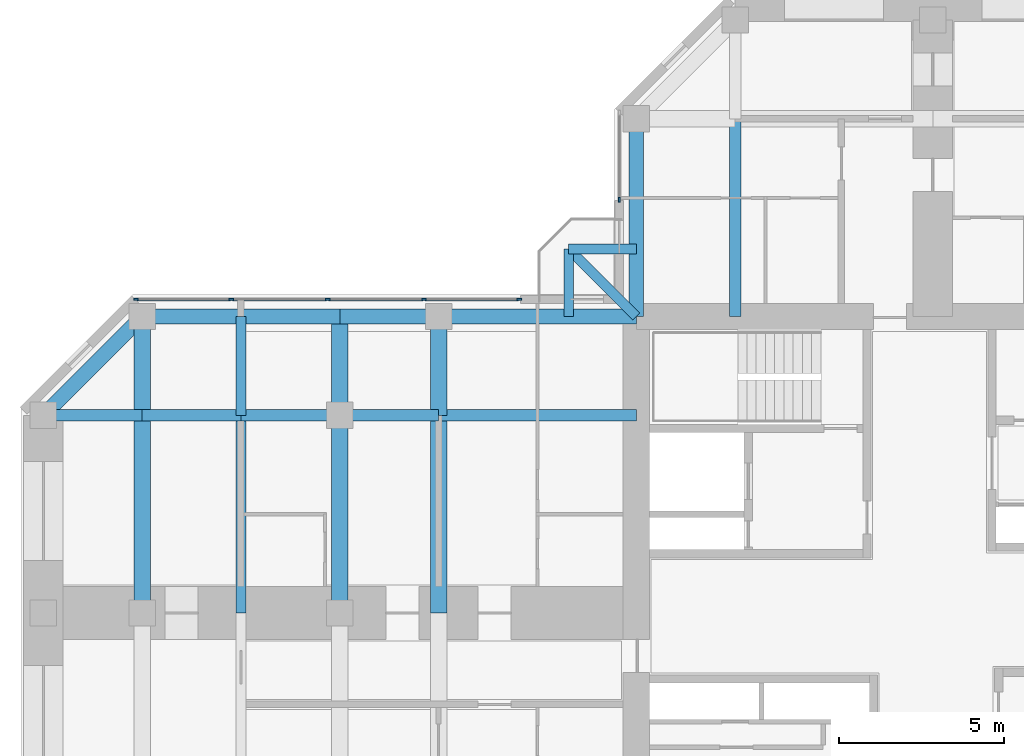
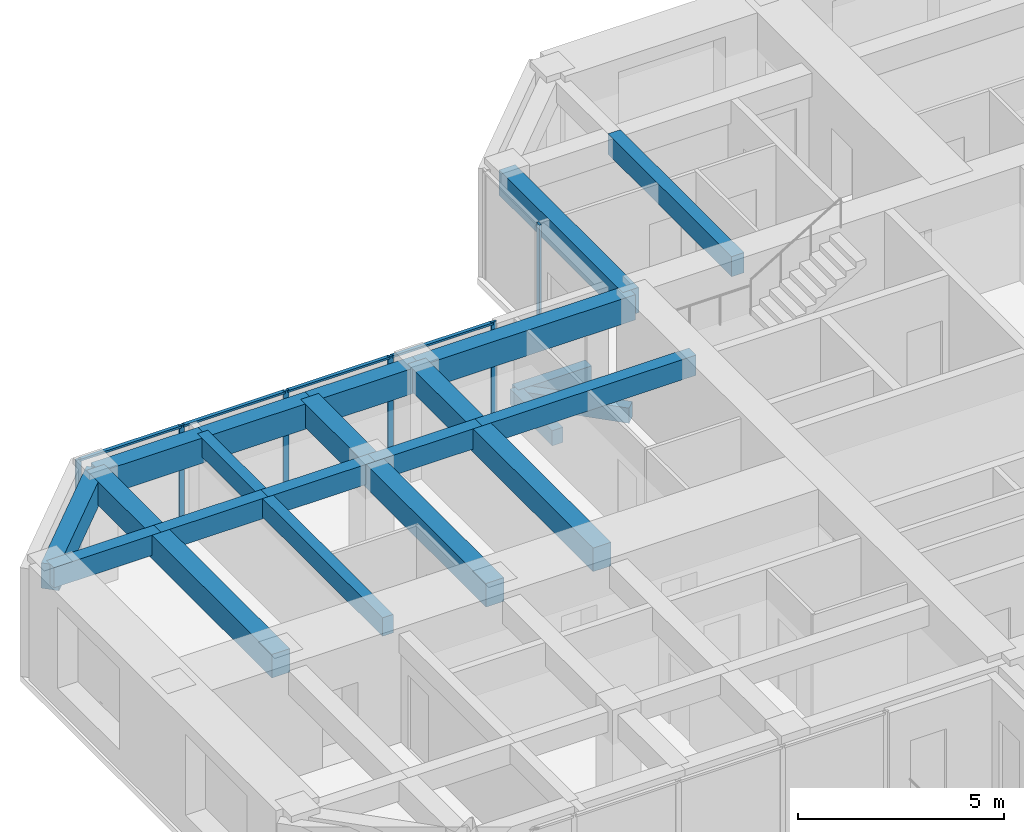
# One storey, part 4 of 13: 23 beams, 10 members, 2 elements without a shape of their own.
"""IFC4 building model written with IfcOpenShell, lengths in metres."""

from ifc_helpers import new_model, si_unit, direction, frame, origin, origin_2d, place, context, subcontext, project, spatial, rectangle, extrude, material, material_profile, profile_set, type_object, element, aggregate, save


model = new_model("IFC4")

# Units and contexts
model_context = context("Model", 3, precision=1e-05, world=origin(), true_north=direction((0.0, 1.0)))
body_context = subcontext(model_context, "Body", "Model", "MODEL_VIEW")
ifc_project = project(units=[si_unit("LENGTHUNIT", "METRE"), si_unit("AREAUNIT", "SQUARE_METRE"), si_unit("VOLUMEUNIT", "CUBIC_METRE"), si_unit("PLANEANGLEUNIT", "RADIAN"), si_unit("MASSUNIT", "GRAM", prefix="KILO")], contexts=[model_context])

# Site, building, storey
site_placement = place(None, origin())
site = spatial("IfcSite", under=ifc_project, at=site_placement, CompositionType="ELEMENT")
building_placement = place(site_placement, origin())
building = spatial("IfcBuilding", under=site, at=building_placement, Name="Torre Cruceta", CompositionType="ELEMENT")
storey_placement = place(building_placement, frame((0.0, 0.0, 235.699951171875)))
storey = spatial("IfcBuildingStorey", under=building, at=storey_placement, Name="L60", CompositionType="ELEMENT", Elevation=235.699951171875)

# Beams
ifc_material_1 = material(Name="Concrete G60 (fck 60 MPa)", Category="concrete")
ifc_material_profile_1 = material_profile(ifc_material_1, rectangle(XDim=0.300048828125, YDim=0.449951171875, at=origin_2d()), Name="RC 300X450")
ifc_profile_set_1 = profile_set([ifc_material_profile_1], Name="Concrete G60 (fck 60 MPa)")
beam_type_1 = type_object("IfcBeamType", Name="BALCONY CANTILEVER BEAM RC 300X450", PredefinedType="BEAM", material=ifc_profile_set_1)
beam_1_placement = place(storey_placement, frame((-9.0, 9.0, -0.405029296875), z_axis=(-0.707106781187, 0.707106781187, 0.0), x_axis=(-0.707106781187, -0.707106781187, 0.0)))
element("IfcBeam", 1, at=beam_1_placement, inside=storey, type_object=beam_type_1, Name="BB1 balcony beam L60 N", PredefinedType="BEAM", context=body_context, shape_type="SweptSolid", body=[
    extrude(rectangle(XDim=0.300048828125, YDim=0.449951171875, at=origin_2d()), origin(), (0.0, 0.0, 1.0), 2.89990234375),
])
for number, where, z_axis, x_axis, name in (
    (2, (-11.050537109375, 9.0, -0.405029296875), (0.0, 1.0, 0.0), (-1.0, 0.0, 0.0), "BB1 balcony edge beam L60 N-X"),
    (3, (-9.0, 11.050537109375, -0.405029296875), (-1.0, 0.0, 0.0), (0.0, -1.0, 0.0), "BB1 balcony edge beam L60 N-Y"),
):
    element("IfcBeam", number, at=place(storey_placement, frame(where, z_axis=z_axis, x_axis=x_axis)), inside=storey, type_object=beam_type_1, Name=name, PredefinedType="BEAM", context=body_context, shape_type="SweptSolid", body=[
        extrude(rectangle(XDim=0.300048828125, YDim=0.449951171875, at=origin_2d()), origin(), (0.0, 0.0, 1.0), 2.050537109375),
    ])
ifc_material_2 = material(Name="Concrete G60 (fck 60 MPa)", Category="concrete")
ifc_material_profile_2 = material_profile(ifc_material_2, rectangle(XDim=0.35009765625, YDim=0.60009765625, at=origin_2d()), Name="RC 350X600")
ifc_profile_set_2 = profile_set([ifc_material_profile_2], Name="Concrete G60 (fck 60 MPa)")
beam_type_2 = type_object("IfcBeamType", Name="COLUMN LINE BEAM RC 350X600", PredefinedType="BEAM", material=ifc_profile_set_2)
for number, where, z_axis, x_axis, name in (
    (4, (-6.0, 9.0, 2.920166015625), (0.0, 1.0, 0.0), (-1.0, 0.0, 0.0), "LB9 L60 N col+ 1"),
    (5, (-9.0, 6.0, 2.920166015625), (-1.0, 0.0, 0.0), (0.0, -1.0, 0.0), "LB9 L60 W col- 1"),
):
    element("IfcBeam", number, at=place(storey_placement, frame(where, z_axis=z_axis, x_axis=x_axis)), inside=storey, type_object=beam_type_2, Name=name, PredefinedType="BEAM", context=body_context, shape_type="SweptSolid", body=[
        extrude(rectangle(XDim=0.35009765625, YDim=0.60009765625, at=origin_2d()), origin(), (0.0, 0.0, 1.0), 6.0),
    ])
for number, where, z_axis, x_axis, name in (
    (6, (-15.0, 6.0, 2.920166015625), (-1.0, 0.0, 0.0), (0.0, -1.0, 0.0), "LB9 L60 W col- 2"),
    (7, (-18.0, 6.0, 2.920166015625), (-1.0, 0.0, 0.0), (0.0, -1.0, 0.0), "LB9 L60 W col- 3"),
    (8, (-21.0, 6.0, 2.920166015625), (-1.0, 0.0, 0.0), (0.0, -1.0, 0.0), "LB9 L60 W col- 4"),
    (9, (-24.0, 6.0, 2.920166015625), (-1.0, 0.0, 0.0), (0.0, -1.0, 0.0), "LB9 L60 W col- 5"),
):
    element("IfcBeam", number, at=place(storey_placement, frame(where, z_axis=z_axis, x_axis=x_axis)), inside=storey, type_object=beam_type_2, Name=name, PredefinedType="BEAM", context=body_context, shape_type="SweptSolid", body=[
        extrude(rectangle(XDim=0.35009765625, YDim=0.60009765625, at=origin_2d()), origin(), (0.0, 0.0, 1.0), 3.0),
    ])
ifc_material_3 = material(Name="Concrete G60 (fck 60 MPa)", Category="concrete")
ifc_material_profile_3 = material_profile(ifc_material_3, rectangle(XDim=0.5, YDim=0.699951171875, at=origin_2d()), Name="RC 500X700")
ifc_profile_set_3 = profile_set([ifc_material_profile_3], Name="Concrete G60 (fck 60 MPa)")
beam_type_3 = type_object("IfcBeamType", Name="CROSS BEAM RC 500X700", PredefinedType="BEAM", material=ifc_profile_set_3)
beam_2_placement = place(storey_placement, frame((-15.0, 9.0, 2.8701171875), z_axis=(0.0, -1.0, 0.0), x_axis=(1.0, 0.0, 0.0)))
element("IfcBeam", 10, at=beam_2_placement, inside=storey, type_object=beam_type_3, Name="GB7 L60 W cross15 1", PredefinedType="BEAM", context=body_context, shape_type="SweptSolid", body=[
    extrude(rectangle(XDim=0.5, YDim=0.699951171875, at=origin_2d()), origin(), (0.0, 0.0, 1.0), 3.0),
])
beam_3_placement = place(storey_placement, frame((-15.0, 6.0, 2.8701171875), z_axis=(0.0, -1.0, 0.0), x_axis=(1.0, 0.0, 0.0)))
element("IfcBeam", 11, at=beam_3_placement, inside=storey, type_object=beam_type_3, Name="GB7 L60 W cross15 2", PredefinedType="BEAM", context=body_context, shape_type="SweptSolid", body=[
    extrude(rectangle(XDim=0.5, YDim=0.699951171875, at=origin_2d()), origin(), (0.0, 0.0, 1.0), 6.0),
])
beam_4_placement = place(storey_placement, frame((-18.0, 9.0, 2.8701171875), z_axis=(0.0, -1.0, 0.0), x_axis=(1.0, 0.0, 0.0)))
element("IfcBeam", 12, at=beam_4_placement, inside=storey, type_object=beam_type_3, Name="GB7 L60 W cross18 1", PredefinedType="BEAM", context=body_context, shape_type="SweptSolid", body=[
    extrude(rectangle(XDim=0.5, YDim=0.699951171875, at=origin_2d()), origin(), (0.0, 0.0, 1.0), 3.0),
])
beam_5_placement = place(storey_placement, frame((-18.0, 6.0, 2.8701171875), z_axis=(0.0, -1.0, 0.0), x_axis=(1.0, 0.0, 0.0)))
element("IfcBeam", 13, at=beam_5_placement, inside=storey, type_object=beam_type_3, Name="GB7 L60 W cross18 2", PredefinedType="BEAM", context=body_context, shape_type="SweptSolid", body=[
    extrude(rectangle(XDim=0.5, YDim=0.699951171875, at=origin_2d()), origin(), (0.0, 0.0, 1.0), 6.0),
])
beam_6_placement = place(storey_placement, frame((-24.0, 9.0, 2.8701171875), z_axis=(0.0, -1.0, 0.0), x_axis=(1.0, 0.0, 0.0)))
element("IfcBeam", 14, at=beam_6_placement, inside=storey, type_object=beam_type_3, Name="GB7 L60 W cross24 1", PredefinedType="BEAM", context=body_context, shape_type="SweptSolid", body=[
    extrude(rectangle(XDim=0.5, YDim=0.699951171875, at=origin_2d()), origin(), (0.0, 0.0, 1.0), 3.0),
])
beam_7_placement = place(storey_placement, frame((-24.0, 6.0, 2.8701171875), z_axis=(0.0, -1.0, 0.0), x_axis=(1.0, 0.0, 0.0)))
element("IfcBeam", 15, at=beam_7_placement, inside=storey, type_object=beam_type_3, Name="GB7 L60 W cross24 2", PredefinedType="BEAM", context=body_context, shape_type="SweptSolid", body=[
    extrude(rectangle(XDim=0.5, YDim=0.699951171875, at=origin_2d()), origin(), (0.0, 0.0, 1.0), 6.0),
])

# Curtain wall, member
ifc_material_4 = material(Name="Aluminium unitised curtain wall", Category="aluminium")
curtain_wall_type = type_object("IfcCurtainWallType", Name="CURTAIN WALL CW-D CO-LIVING UPPER", PredefinedType="USERDEFINED", material=ifc_material_4)
curtain_wall_1_placement = place(storey_placement, origin())
curtain_wall_1 = element("IfcCurtainWall", 16, at=curtain_wall_1_placement, inside=storey, type_object=curtain_wall_type, Name="CW-D L60 N side 09", ObjectType="UNITISED", PredefinedType="USERDEFINED")
ifc_material_5 = material(Name="Aluminium mullion", Category="aluminium")
ifc_material_profile_4 = material_profile(ifc_material_5, rectangle(XDim=0.06005859375, YDim=0.14990234375, at=origin_2d()), Name="AL 60X150")
ifc_profile_set_4 = profile_set([ifc_material_profile_4], Name="Aluminium mullion")
member_type_1 = type_object("IfcMemberType", Name="CW-D MULLION 60X150", PredefinedType="MULLION", material=ifc_profile_set_4)
member_1_placement = place(storey_placement, frame((-9.52001953125, 12.550048828125, 0.0), z_axis=(0.0, 0.0, 1.0), x_axis=(1.0, 0.0, 0.0)))
member_1 = element("IfcMember", 17, at=member_1_placement, type_object=member_type_1, Name="CW-D mullion 2", PredefinedType="MULLION", context=body_context, shape_type="SweptSolid", body=[
    extrude(rectangle(XDim=0.06005859375, YDim=0.14990234375, at=origin_2d()), origin(), (0.0, 0.0, 1.0), 3.219970703125),
])
aggregate(curtain_wall_1, [member_1])

# Curtain wall, members
curtain_wall_2_placement = place(storey_placement, origin())
curtain_wall_2 = element("IfcCurtainWall", 18, at=curtain_wall_2_placement, inside=storey, type_object=curtain_wall_type, Name="CW-D L60 W side 10", ObjectType="UNITISED", PredefinedType="USERDEFINED")
member_2_placement = place(storey_placement, frame((-12.550048828125, 9.52001953125, 0.0), z_axis=(0.0, 0.0, 1.0), x_axis=(0.0, -1.0, 0.0)))
member_2 = element("IfcMember", 19, at=member_2_placement, type_object=member_type_1, Name="CW-D mullion 1", PredefinedType="MULLION", context=body_context, shape_type="SweptSolid", body=[
    extrude(rectangle(XDim=0.06005859375, YDim=0.14990234375, at=origin_2d()), origin(), (0.0, 0.0, 1.0), 3.219970703125),
])
member_3_placement = place(storey_placement, frame((-15.44384765625, 9.52001953125, 0.0), z_axis=(0.0, 0.0, 1.0), x_axis=(0.0, -1.0, 0.0)))
member_3 = element("IfcMember", 20, at=member_3_placement, type_object=member_type_1, Name="CW-D mullion 2", PredefinedType="MULLION", context=body_context, shape_type="SweptSolid", body=[
    extrude(rectangle(XDim=0.06005859375, YDim=0.14990234375, at=origin_2d()), origin(), (0.0, 0.0, 1.0), 3.219970703125),
])
member_4_placement = place(storey_placement, frame((-18.36767578125, 9.52001953125, 0.0), z_axis=(0.0, 0.0, 1.0), x_axis=(0.0, -1.0, 0.0)))
member_4 = element("IfcMember", 21, at=member_4_placement, type_object=member_type_1, Name="CW-D mullion 3", PredefinedType="MULLION", context=body_context, shape_type="SweptSolid", body=[
    extrude(rectangle(XDim=0.06005859375, YDim=0.14990234375, at=origin_2d()), origin(), (0.0, 0.0, 1.0), 3.219970703125),
])
member_5_placement = place(storey_placement, frame((-21.29150390625, 9.52001953125, 0.0), z_axis=(0.0, 0.0, 1.0), x_axis=(0.0, -1.0, 0.0)))
member_5 = element("IfcMember", 22, at=member_5_placement, type_object=member_type_1, Name="CW-D mullion 4", PredefinedType="MULLION", context=body_context, shape_type="SweptSolid", body=[
    extrude(rectangle(XDim=0.06005859375, YDim=0.14990234375, at=origin_2d()), origin(), (0.0, 0.0, 1.0), 3.219970703125),
])
member_6_placement = place(storey_placement, frame((-24.185302734375, 9.52001953125, 0.0), z_axis=(0.0, 0.0, 1.0), x_axis=(0.0, -1.0, 0.0)))
member_6 = element("IfcMember", 23, at=member_6_placement, type_object=member_type_1, Name="CW-D mullion 5", PredefinedType="MULLION", context=body_context, shape_type="SweptSolid", body=[
    extrude(rectangle(XDim=0.06005859375, YDim=0.14990234375, at=origin_2d()), origin(), (0.0, 0.0, 1.0), 3.219970703125),
])
ifc_material_6 = material(Name="Aluminium transom", Category="aluminium")
ifc_material_profile_5 = material_profile(ifc_material_6, rectangle(XDim=0.10009765625, YDim=0.06005859375, at=origin_2d()), Name="AL 100X60")
ifc_profile_set_5 = profile_set([ifc_material_profile_5], Name="Aluminium transom")
member_type_2 = type_object("IfcMemberType", Name="CW-D TRANSOM 60X100", PredefinedType="USERDEFINED", material=ifc_profile_set_5)
member_7_placement = place(storey_placement, frame((-12.580078125, 9.52001953125, 3.18994140625), z_axis=(-1.0, 0.0, 0.0), x_axis=(0.0, -1.0, 0.0)))
member_7 = element("IfcMember", 24, at=member_7_placement, type_object=member_type_2, Name="CW-D transom 1", ObjectType="TRANSOM", PredefinedType="USERDEFINED", context=body_context, shape_type="SweptSolid", body=[
    extrude(rectangle(XDim=0.10009765625, YDim=0.06005859375, at=origin_2d()), origin(), (0.0, 0.0, 1.0), 2.833740234375),
])
member_8_placement = place(storey_placement, frame((-15.473876953125, 9.52001953125, 3.18994140625), z_axis=(-1.0, 0.0, 0.0), x_axis=(0.0, -1.0, 0.0)))
member_8 = element("IfcMember", 25, at=member_8_placement, type_object=member_type_2, Name="CW-D transom 2", ObjectType="TRANSOM", PredefinedType="USERDEFINED", context=body_context, shape_type="SweptSolid", body=[
    extrude(rectangle(XDim=0.10009765625, YDim=0.06005859375, at=origin_2d()), origin(), (0.0, 0.0, 1.0), 2.86376953125),
])
member_9_placement = place(storey_placement, frame((-18.397705078125, 9.52001953125, 3.18994140625), z_axis=(-1.0, 0.0, 0.0), x_axis=(0.0, -1.0, 0.0)))
member_9 = element("IfcMember", 26, at=member_9_placement, type_object=member_type_2, Name="CW-D transom 3", ObjectType="TRANSOM", PredefinedType="USERDEFINED", context=body_context, shape_type="SweptSolid", body=[
    extrude(rectangle(XDim=0.10009765625, YDim=0.06005859375, at=origin_2d()), origin(), (0.0, 0.0, 1.0), 2.86376953125),
])
member_10_placement = place(storey_placement, frame((-21.321533203125, 9.52001953125, 3.18994140625), z_axis=(-1.0, 0.0, 0.0), x_axis=(0.0, -1.0, 0.0)))
member_10 = element("IfcMember", 27, at=member_10_placement, type_object=member_type_2, Name="CW-D transom 4", ObjectType="TRANSOM", PredefinedType="USERDEFINED", context=body_context, shape_type="SweptSolid", body=[
    extrude(rectangle(XDim=0.10009765625, YDim=0.06005859375, at=origin_2d()), origin(), (0.0, 0.0, 1.0), 2.833740234375),
])
aggregate(curtain_wall_2, [member_2, member_3, member_4, member_5, member_6, member_7, member_8, member_9, member_10])

# Beams
ifc_material_7 = material(Name="Concrete G60 (fck 60 MPa)", Category="concrete")
ifc_material_profile_6 = material_profile(ifc_material_7, rectangle(XDim=0.300048828125, YDim=0.550048828125, at=origin_2d()), Name="RC 300X550")
ifc_profile_set_6 = profile_set([ifc_material_profile_6], Name="Concrete G60 (fck 60 MPa)")
beam_type_4 = type_object("IfcBeamType", Name="SECONDARY BEAM RC 300X550", PredefinedType="JOIST", material=ifc_profile_set_6)
beam_8_placement = place(storey_placement, frame((-21.0, 9.0, 2.945068359375), z_axis=(0.0, -1.0, 0.0), x_axis=(1.0, 0.0, 0.0)))
element("IfcBeam", 28, at=beam_8_placement, inside=storey, type_object=beam_type_4, Name="JB7 L60 W sec21 1", PredefinedType="JOIST", context=body_context, shape_type="SweptSolid", body=[
    extrude(rectangle(XDim=0.300048828125, YDim=0.550048828125, at=origin_2d()), origin(), (0.0, 0.0, 1.0), 3.0),
])
beam_9_placement = place(storey_placement, frame((-21.0, 6.0, 2.945068359375), z_axis=(0.0, -1.0, 0.0), x_axis=(1.0, 0.0, 0.0)))
element("IfcBeam", 29, at=beam_9_placement, inside=storey, type_object=beam_type_4, Name="JB7 L60 W sec21 2", PredefinedType="JOIST", context=body_context, shape_type="SweptSolid", body=[
    extrude(rectangle(XDim=0.300048828125, YDim=0.550048828125, at=origin_2d()), origin(), (0.0, 0.0, 1.0), 6.0),
])
ifc_material_8 = material(Name="Concrete G60 (fck 60 MPa)", Category="concrete")
ifc_material_profile_7 = material_profile(ifc_material_8, rectangle(XDim=0.449951171875, YDim=0.75, at=origin_2d()), Name="RC 450X750")
ifc_profile_set_7 = profile_set([ifc_material_profile_7], Name="Concrete G60 (fck 60 MPa)")
beam_type_5 = type_object("IfcBeamType", Name="SPANDREL BEAM RC 450X750", PredefinedType="SPANDREL", material=ifc_profile_set_7)
for number, where, z_axis, x_axis, name in (
    (30, (-9.0, 9.0, 2.844970703125), (0.0, 1.0, 0.0), (-1.0, 0.0, 0.0), "SB7 L60 N side+ 1"),
    (31, (-9.0, 9.0, 2.844970703125), (-1.0, 0.0, 0.0), (0.0, -1.0, 0.0), "SB7 L60 W side- 1"),
):
    element("IfcBeam", number, at=place(storey_placement, frame(where, z_axis=z_axis, x_axis=x_axis)), inside=storey, type_object=beam_type_5, Name=name, PredefinedType="SPANDREL", context=body_context, shape_type="SweptSolid", body=[
        extrude(rectangle(XDim=0.449951171875, YDim=0.75, at=origin_2d()), origin(), (0.0, 0.0, 1.0), 6.0),
    ])
for number, where, z_axis, x_axis, name in (
    (32, (-15.0, 9.0, 2.844970703125), (-1.0, 0.0, 0.0), (0.0, -1.0, 0.0), "SB7 L60 W side- 2"),
    (33, (-18.0, 9.0, 2.844970703125), (-1.0, 0.0, 0.0), (0.0, -1.0, 0.0), "SB7 L60 W side- 3"),
    (34, (-21.0, 9.0, 2.844970703125), (-1.0, 0.0, 0.0), (0.0, -1.0, 0.0), "SB7 L60 W side- 4"),
):
    element("IfcBeam", number, at=place(storey_placement, frame(where, z_axis=z_axis, x_axis=x_axis)), inside=storey, type_object=beam_type_5, Name=name, PredefinedType="SPANDREL", context=body_context, shape_type="SweptSolid", body=[
        extrude(rectangle(XDim=0.449951171875, YDim=0.75, at=origin_2d()), origin(), (0.0, 0.0, 1.0), 3.0),
    ])
beam_10_placement = place(storey_placement, frame((-24.0, 9.0, 2.844970703125), z_axis=(-0.707106781187, -0.707106781187, 0.0), x_axis=(0.707106781187, -0.707106781187, 0.0)))
element("IfcBeam", 35, at=beam_10_placement, inside=storey, type_object=beam_type_5, Name="SB7 L60 W side- 5", PredefinedType="SPANDREL", context=body_context, shape_type="SweptSolid", body=[
    extrude(rectangle(XDim=0.449951171875, YDim=0.75, at=origin_2d()), origin(), (0.0, 0.0, 1.0), 4.24267578125),
])

save(model, "model.ifc")
